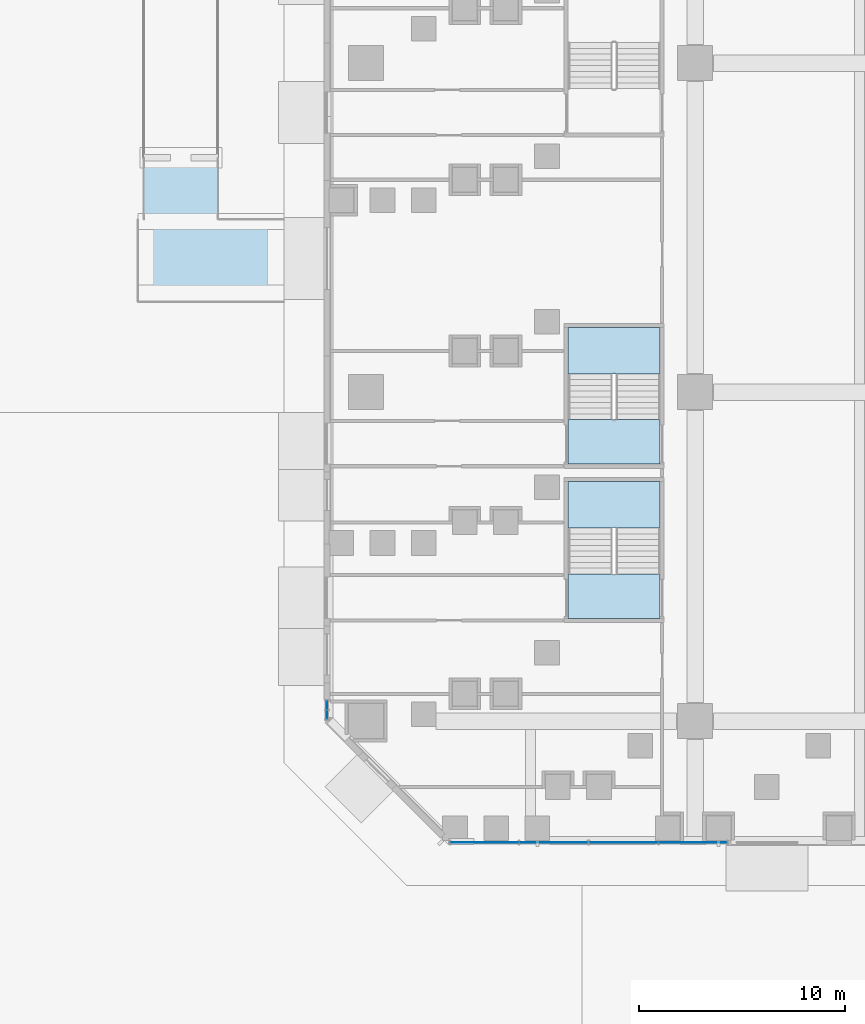
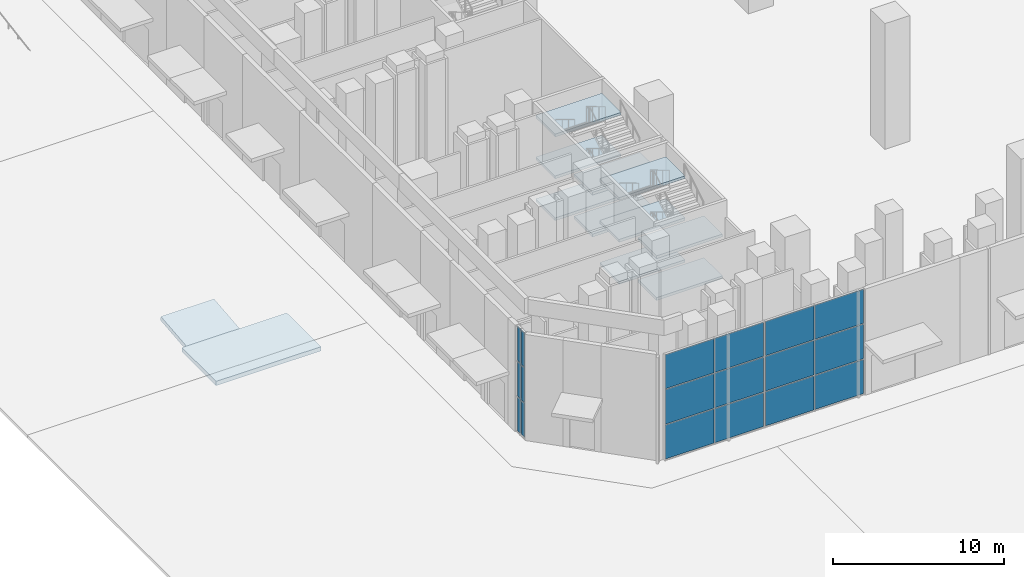
# One storey, part 13 of 51: 18 plates, 12 slabs, 6 elements without a shape of their own.
"""IFC4 building model written with IfcOpenShell, lengths in metres."""

from ifc_helpers import new_model, si_unit, direction, frame, origin, origin_2d, place, context, subcontext, project, spatial, polyline, rectangle, outline, extrude, material, layer, layer_set, type_object, element, aggregate, save


model = new_model("IFC4")

# Units and contexts
model_context = context("Model", 3, precision=1e-05, world=origin(), true_north=direction((0.0, 1.0)))
body_context = subcontext(model_context, "Body", "Model", "MODEL_VIEW")
ifc_project = project(units=[si_unit("LENGTHUNIT", "METRE"), si_unit("AREAUNIT", "SQUARE_METRE"), si_unit("VOLUMEUNIT", "CUBIC_METRE"), si_unit("PLANEANGLEUNIT", "RADIAN"), si_unit("MASSUNIT", "GRAM", prefix="KILO")], contexts=[model_context])

# Site, building, storey
site_placement = place(None, origin())
site = spatial("IfcSite", under=ifc_project, at=site_placement, CompositionType="ELEMENT")
building_placement = place(site_placement, origin())
building = spatial("IfcBuilding", under=site, at=building_placement, Name="Calabash Gate Tower", CompositionType="ELEMENT")
storey_placement = place(building_placement, origin())
storey = spatial("IfcBuildingStorey", under=building, at=storey_placement, Name="L00", CompositionType="ELEMENT", Elevation=0.0)

# Curtain wall, plates
ifc_material_1 = material(Name="Anodised aluminium frame, bronze finish, clear laminated impact-rated glazing", Category="aluminium")
curtain_wall_type = type_object("IfcCurtainWallType", Name="Curtain wall CWF podium shopfront", PredefinedType="NOTDEFINED", material=ifc_material_1)
curtain_wall_1_placement = place(storey_placement, origin())
curtain_wall_1 = element("IfcCurtainWall", 1, at=curtain_wall_1_placement, inside=storey, type_object=curtain_wall_type, Name="Curtain wall CWF L00 0.0.0", PredefinedType="NOTDEFINED")
ifc_material_2 = material(Name="Clear laminated impact-rated glazing", Category="glass")
ifc_layer_1 = layer(ifc_material_2, 0.035888671875)
ifc_layer_set_1 = layer_set([ifc_layer_1], Name="Glass panel CWF 36")
plate_type = type_object("IfcPlateType", Name="Glass panel CWF 36", PredefinedType="CURTAIN_PANEL", material=ifc_layer_set_1)
plate_1_placement = place(storey_placement, frame((-42.239501953125, -45.89990234375, 0.06494140625), z_axis=(0.0, 0.0, 1.0), x_axis=(1.0, 0.0, 0.0)))
plate_1 = element("IfcPlate", 2, at=plate_1_placement, type_object=plate_type, Name="CWF panel 1.1", PredefinedType="CURTAIN_PANEL", context=body_context, shape_type="SweptSolid", body=[
    extrude(rectangle(XDim=3.291015625, YDim=0.035888671875, at=origin_2d()), origin(), (0.0, 0.0, 1.0), 2.435791015625),
])
plate_2_placement = place(storey_placement, frame((-42.239501953125, -45.89990234375, 2.56591796875), z_axis=(0.0, 0.0, 1.0), x_axis=(1.0, 0.0, 0.0)))
plate_2 = element("IfcPlate", 3, at=plate_2_placement, type_object=plate_type, Name="CWF panel 1.2", PredefinedType="CURTAIN_PANEL", context=body_context, shape_type="SweptSolid", body=[
    extrude(rectangle(XDim=3.291015625, YDim=0.035888671875, at=origin_2d()), origin(), (0.0, 0.0, 1.0), 2.46826171875),
])
plate_3_placement = place(storey_placement, frame((-42.239501953125, -45.89990234375, 5.09912109375), z_axis=(0.0, 0.0, 1.0), x_axis=(1.0, 0.0, 0.0)))
plate_3 = element("IfcPlate", 4, at=plate_3_placement, type_object=plate_type, Name="CWF panel 1.3", PredefinedType="CURTAIN_PANEL", context=body_context, shape_type="SweptSolid", body=[
    extrude(rectangle(XDim=3.291015625, YDim=0.035888671875, at=origin_2d()), origin(), (0.0, 0.0, 1.0), 2.435791015625),
])
plate_4_placement = place(storey_placement, frame((-38.883544921875, -45.89990234375, 0.06494140625), z_axis=(0.0, 0.0, 1.0), x_axis=(1.0, 0.0, 0.0)))
plate_4 = element("IfcPlate", 5, at=plate_4_placement, type_object=plate_type, Name="CWF panel 2.1", PredefinedType="CURTAIN_PANEL", context=body_context, shape_type="SweptSolid", body=[
    extrude(rectangle(XDim=3.291015625, YDim=0.035888671875, at=origin_2d()), origin(), (0.0, 0.0, 1.0), 2.435791015625),
])
plate_5_placement = place(storey_placement, frame((-38.883544921875, -45.89990234375, 2.56591796875), z_axis=(0.0, 0.0, 1.0), x_axis=(1.0, 0.0, 0.0)))
plate_5 = element("IfcPlate", 6, at=plate_5_placement, type_object=plate_type, Name="CWF panel 2.2", PredefinedType="CURTAIN_PANEL", context=body_context, shape_type="SweptSolid", body=[
    extrude(rectangle(XDim=3.291015625, YDim=0.035888671875, at=origin_2d()), origin(), (0.0, 0.0, 1.0), 2.46826171875),
])
plate_6_placement = place(storey_placement, frame((-38.883544921875, -45.89990234375, 5.09912109375), z_axis=(0.0, 0.0, 1.0), x_axis=(1.0, 0.0, 0.0)))
plate_6 = element("IfcPlate", 7, at=plate_6_placement, type_object=plate_type, Name="CWF panel 2.3", PredefinedType="CURTAIN_PANEL", context=body_context, shape_type="SweptSolid", body=[
    extrude(rectangle(XDim=3.291015625, YDim=0.035888671875, at=origin_2d()), origin(), (0.0, 0.0, 1.0), 2.435791015625),
])
aggregate(curtain_wall_1, [plate_1, plate_2, plate_3, plate_4, plate_5, plate_6])

curtain_wall_2_placement = place(storey_placement, origin())
curtain_wall_2 = element("IfcCurtainWall", 8, at=curtain_wall_2_placement, inside=storey, type_object=curtain_wall_type, Name="Curtain wall CWF L00 0.0.1", PredefinedType="NOTDEFINED")
plate_7_placement = place(storey_placement, frame((-35.46240234375, -45.89990234375, 0.06494140625), z_axis=(0.0, 0.0, 1.0), x_axis=(1.0, 0.0, 0.0)))
plate_7 = element("IfcPlate", 9, at=plate_7_placement, type_object=plate_type, Name="CWF panel 1.1", PredefinedType="CURTAIN_PANEL", context=body_context, shape_type="SweptSolid", body=[
    extrude(rectangle(XDim=3.291015625, YDim=0.035888671875, at=origin_2d()), origin(), (0.0, 0.0, 1.0), 2.435791015625),
])
plate_8_placement = place(storey_placement, frame((-35.46240234375, -45.89990234375, 2.56591796875), z_axis=(0.0, 0.0, 1.0), x_axis=(1.0, 0.0, 0.0)))
plate_8 = element("IfcPlate", 10, at=plate_8_placement, type_object=plate_type, Name="CWF panel 1.2", PredefinedType="CURTAIN_PANEL", context=body_context, shape_type="SweptSolid", body=[
    extrude(rectangle(XDim=3.291015625, YDim=0.035888671875, at=origin_2d()), origin(), (0.0, 0.0, 1.0), 2.46826171875),
])
plate_9_placement = place(storey_placement, frame((-35.46240234375, -45.89990234375, 5.09912109375), z_axis=(0.0, 0.0, 1.0), x_axis=(1.0, 0.0, 0.0)))
plate_9 = element("IfcPlate", 11, at=plate_9_placement, type_object=plate_type, Name="CWF panel 1.3", PredefinedType="CURTAIN_PANEL", context=body_context, shape_type="SweptSolid", body=[
    extrude(rectangle(XDim=3.291015625, YDim=0.035888671875, at=origin_2d()), origin(), (0.0, 0.0, 1.0), 2.435791015625),
])
plate_10_placement = place(storey_placement, frame((-32.1064453125, -45.89990234375, 0.06494140625), z_axis=(0.0, 0.0, 1.0), x_axis=(1.0, 0.0, 0.0)))
plate_10 = element("IfcPlate", 12, at=plate_10_placement, type_object=plate_type, Name="CWF panel 2.1", PredefinedType="CURTAIN_PANEL", context=body_context, shape_type="SweptSolid", body=[
    extrude(rectangle(XDim=3.291015625, YDim=0.035888671875, at=origin_2d()), origin(), (0.0, 0.0, 1.0), 2.435791015625),
])
plate_11_placement = place(storey_placement, frame((-32.1064453125, -45.89990234375, 2.56591796875), z_axis=(0.0, 0.0, 1.0), x_axis=(1.0, 0.0, 0.0)))
plate_11 = element("IfcPlate", 13, at=plate_11_placement, type_object=plate_type, Name="CWF panel 2.2", PredefinedType="CURTAIN_PANEL", context=body_context, shape_type="SweptSolid", body=[
    extrude(rectangle(XDim=3.291015625, YDim=0.035888671875, at=origin_2d()), origin(), (0.0, 0.0, 1.0), 2.46826171875),
])
plate_12_placement = place(storey_placement, frame((-32.1064453125, -45.89990234375, 5.09912109375), z_axis=(0.0, 0.0, 1.0), x_axis=(1.0, 0.0, 0.0)))
plate_12 = element("IfcPlate", 14, at=plate_12_placement, type_object=plate_type, Name="CWF panel 2.3", PredefinedType="CURTAIN_PANEL", context=body_context, shape_type="SweptSolid", body=[
    extrude(rectangle(XDim=3.291015625, YDim=0.035888671875, at=origin_2d()), origin(), (0.0, 0.0, 1.0), 2.435791015625),
])
aggregate(curtain_wall_2, [plate_7, plate_8, plate_9, plate_10, plate_11, plate_12])

curtain_wall_3_placement = place(storey_placement, origin())
curtain_wall_3 = element("IfcCurtainWall", 15, at=curtain_wall_3_placement, inside=storey, type_object=curtain_wall_type, Name="Curtain wall CWF L00 6.1.0", PredefinedType="NOTDEFINED")
plate_13_placement = place(storey_placement, frame((-49.89990234375, -39.231201171875, 0.06494140625), z_axis=(0.0, 0.0, 1.0), x_axis=(0.0, -1.0, 0.0)))
plate_13 = element("IfcPlate", 16, at=plate_13_placement, type_object=plate_type, Name="CWF panel 1.1", PredefinedType="CURTAIN_PANEL", context=body_context, shape_type="SweptSolid", body=[
    extrude(rectangle(XDim=0.392578125, YDim=0.035888671875, at=origin_2d()), origin(), (0.0, 0.0, 1.0), 2.435791015625),
])
plate_14_placement = place(storey_placement, frame((-49.89990234375, -39.231201171875, 2.56591796875), z_axis=(0.0, 0.0, 1.0), x_axis=(0.0, -1.0, 0.0)))
plate_14 = element("IfcPlate", 17, at=plate_14_placement, type_object=plate_type, Name="CWF panel 1.2", PredefinedType="CURTAIN_PANEL", context=body_context, shape_type="SweptSolid", body=[
    extrude(rectangle(XDim=0.392578125, YDim=0.035888671875, at=origin_2d()), origin(), (0.0, 0.0, 1.0), 2.46826171875),
])
plate_15_placement = place(storey_placement, frame((-49.89990234375, -39.231201171875, 5.09912109375), z_axis=(0.0, 0.0, 1.0), x_axis=(0.0, -1.0, 0.0)))
plate_15 = element("IfcPlate", 18, at=plate_15_placement, type_object=plate_type, Name="CWF panel 1.3", PredefinedType="CURTAIN_PANEL", context=body_context, shape_type="SweptSolid", body=[
    extrude(rectangle(XDim=0.392578125, YDim=0.035888671875, at=origin_2d()), origin(), (0.0, 0.0, 1.0), 2.435791015625),
])
plate_16_placement = place(storey_placement, frame((-49.89990234375, -39.688720703125, 0.06494140625), z_axis=(0.0, 0.0, 1.0), x_axis=(0.0, -1.0, 0.0)))
plate_16 = element("IfcPlate", 19, at=plate_16_placement, type_object=plate_type, Name="CWF panel 2.1", PredefinedType="CURTAIN_PANEL", context=body_context, shape_type="SweptSolid", body=[
    extrude(rectangle(XDim=0.392578125, YDim=0.035888671875, at=origin_2d()), origin(), (0.0, 0.0, 1.0), 2.435791015625),
])
plate_17_placement = place(storey_placement, frame((-49.89990234375, -39.688720703125, 2.56591796875), z_axis=(0.0, 0.0, 1.0), x_axis=(0.0, -1.0, 0.0)))
plate_17 = element("IfcPlate", 20, at=plate_17_placement, type_object=plate_type, Name="CWF panel 2.2", PredefinedType="CURTAIN_PANEL", context=body_context, shape_type="SweptSolid", body=[
    extrude(rectangle(XDim=0.392578125, YDim=0.035888671875, at=origin_2d()), origin(), (0.0, 0.0, 1.0), 2.46826171875),
])
plate_18_placement = place(storey_placement, frame((-49.89990234375, -39.688720703125, 5.09912109375), z_axis=(0.0, 0.0, 1.0), x_axis=(0.0, -1.0, 0.0)))
plate_18 = element("IfcPlate", 21, at=plate_18_placement, type_object=plate_type, Name="CWF panel 2.3", PredefinedType="CURTAIN_PANEL", context=body_context, shape_type="SweptSolid", body=[
    extrude(rectangle(XDim=0.392578125, YDim=0.035888671875, at=origin_2d()), origin(), (0.0, 0.0, 1.0), 2.435791015625),
])
aggregate(curtain_wall_3, [plate_13, plate_14, plate_15, plate_16, plate_17, plate_18])

# Stair, slabs
ifc_material_3 = material(Name="Concrete C40/50", Category="concrete")
stair_type = type_object("IfcStairType", Name="Public stair 54 risers of 166.7 mm", PredefinedType="HALF_TURN_STAIR", material=ifc_material_3)
stair_1_placement = place(storey_placement, origin())
stair_1 = element("IfcStair", 22, at=stair_1_placement, inside=storey, type_object=stair_type, Name="L00 Public Stair PS1", PredefinedType="HALF_TURN_STAIR")
ifc_material_4 = material(Name="Concrete C40/50", Category="concrete")
ifc_layer_2 = layer(ifc_material_4, 0.199951171875)
ifc_layer_set_2 = layer_set([ifc_layer_2], Name="Stair landing SL200")
slab_type_1 = type_object("IfcSlabType", Name="Stair landing SL200", PredefinedType="LANDING", material=ifc_layer_set_2)
slab_1_placement = place(storey_placement, frame((0.0, 0.0, 1.300048828125)))
slab_1 = element("IfcSlab", 23, at=slab_1_placement, type_object=slab_type_1, Name="PS1 landing 1", PredefinedType="LANDING", context=body_context, shape_type="SweptSolid", body=[
    extrude(outline(polyline([(-33.699951171875, -30.60791015625), (-33.699951171875, -28.35009765625), (-38.169921875, -28.35009765625), (-38.169921875, -30.60791015625), (-33.699951171875, -30.60791015625)])), origin(), (0.0, 0.0, 1.0), 0.199951171875),
])
slab_2_placement = place(storey_placement, frame((0.0, 0.0, 2.800048828125)))
slab_2 = element("IfcSlab", 24, at=slab_2_placement, type_object=slab_type_1, Name="PS1 landing 2", PredefinedType="LANDING", context=body_context, shape_type="SweptSolid", body=[
    extrude(outline(polyline([(-33.699951171875, -35.0), (-33.699951171875, -32.840087890625), (-38.169921875, -32.840087890625), (-38.169921875, -35.0), (-33.699951171875, -35.0)])), origin(), (0.0, 0.0, 1.0), 0.199951171875),
])
slab_3_placement = place(storey_placement, frame((0.0, 0.0, 4.300048828125)))
slab_3 = element("IfcSlab", 25, at=slab_3_placement, type_object=slab_type_1, Name="PS1 landing 3", PredefinedType="LANDING", context=body_context, shape_type="SweptSolid", body=[
    extrude(outline(polyline([(-33.699951171875, -30.60791015625), (-33.699951171875, -28.35009765625), (-38.169921875, -28.35009765625), (-38.169921875, -30.60791015625), (-33.699951171875, -30.60791015625)])), origin(), (0.0, 0.0, 1.0), 0.199951171875),
])
slab_4_placement = place(storey_placement, frame((0.0, 0.0, 5.800048828125)))
slab_4 = element("IfcSlab", 26, at=slab_4_placement, type_object=slab_type_1, Name="PS1 landing 4", PredefinedType="LANDING", context=body_context, shape_type="SweptSolid", body=[
    extrude(outline(polyline([(-33.699951171875, -35.0), (-33.699951171875, -32.840087890625), (-38.169921875, -32.840087890625), (-38.169921875, -35.0), (-33.699951171875, -35.0)])), origin(), (0.0, 0.0, 1.0), 0.199951171875),
])
slab_5_placement = place(storey_placement, frame((0.0, 0.0, 7.300048828125)))
slab_5 = element("IfcSlab", 27, at=slab_5_placement, type_object=slab_type_1, Name="PS1 landing 5", PredefinedType="LANDING", context=body_context, shape_type="SweptSolid", body=[
    extrude(outline(polyline([(-33.699951171875, -30.60791015625), (-33.699951171875, -28.35009765625), (-38.169921875, -28.35009765625), (-38.169921875, -30.60791015625), (-33.699951171875, -30.60791015625)])), origin(), (0.0, 0.0, 1.0), 0.199951171875),
])
aggregate(stair_1, [slab_1, slab_2, slab_3, slab_4, slab_5])

stair_2_placement = place(storey_placement, origin())
stair_2 = element("IfcStair", 28, at=stair_2_placement, inside=storey, type_object=stair_type, Name="L00 Public Stair PS2", PredefinedType="HALF_TURN_STAIR")
slab_6_placement = place(storey_placement, frame((0.0, 0.0, 1.300048828125)))
slab_6 = element("IfcSlab", 29, at=slab_6_placement, type_object=slab_type_1, Name="PS2 landing 1", PredefinedType="LANDING", context=body_context, shape_type="SweptSolid", body=[
    extrude(outline(polyline([(-33.699951171875, -23.10791015625), (-33.699951171875, -20.85009765625), (-38.169921875, -20.85009765625), (-38.169921875, -23.10791015625), (-33.699951171875, -23.10791015625)])), origin(), (0.0, 0.0, 1.0), 0.199951171875),
])
slab_7_placement = place(storey_placement, frame((0.0, 0.0, 2.800048828125)))
slab_7 = element("IfcSlab", 30, at=slab_7_placement, type_object=slab_type_1, Name="PS2 landing 2", PredefinedType="LANDING", context=body_context, shape_type="SweptSolid", body=[
    extrude(outline(polyline([(-33.699951171875, -27.5), (-33.699951171875, -25.340087890625), (-38.169921875, -25.340087890625), (-38.169921875, -27.5), (-33.699951171875, -27.5)])), origin(), (0.0, 0.0, 1.0), 0.199951171875),
])
slab_8_placement = place(storey_placement, frame((0.0, 0.0, 4.300048828125)))
slab_8 = element("IfcSlab", 31, at=slab_8_placement, type_object=slab_type_1, Name="PS2 landing 3", PredefinedType="LANDING", context=body_context, shape_type="SweptSolid", body=[
    extrude(outline(polyline([(-33.699951171875, -23.10791015625), (-33.699951171875, -20.85009765625), (-38.169921875, -20.85009765625), (-38.169921875, -23.10791015625), (-33.699951171875, -23.10791015625)])), origin(), (0.0, 0.0, 1.0), 0.199951171875),
])
slab_9_placement = place(storey_placement, frame((0.0, 0.0, 5.800048828125)))
slab_9 = element("IfcSlab", 32, at=slab_9_placement, type_object=slab_type_1, Name="PS2 landing 4", PredefinedType="LANDING", context=body_context, shape_type="SweptSolid", body=[
    extrude(outline(polyline([(-33.699951171875, -27.5), (-33.699951171875, -25.340087890625), (-38.169921875, -25.340087890625), (-38.169921875, -27.5), (-33.699951171875, -27.5)])), origin(), (0.0, 0.0, 1.0), 0.199951171875),
])
slab_10_placement = place(storey_placement, frame((0.0, 0.0, 7.300048828125)))
slab_10 = element("IfcSlab", 33, at=slab_10_placement, type_object=slab_type_1, Name="PS2 landing 5", PredefinedType="LANDING", context=body_context, shape_type="SweptSolid", body=[
    extrude(outline(polyline([(-33.699951171875, -23.10791015625), (-33.699951171875, -20.85009765625), (-38.169921875, -20.85009765625), (-38.169921875, -23.10791015625), (-33.699951171875, -23.10791015625)])), origin(), (0.0, 0.0, 1.0), 0.199951171875),
])
aggregate(stair_2, [slab_6, slab_7, slab_8, slab_9, slab_10])

# Assembly, slabs
assembly_placement = place(storey_placement, origin())
assembly = element("IfcElementAssembly", 34, at=assembly_placement, inside=storey, Name="Exit Ramp", ObjectType="Vehicle ramp", PredefinedType="USERDEFINED")
ifc_material_5 = material(Name="Concrete C40/50", Category="concrete")
ifc_layer_3 = layer(ifc_material_5, 0.300048828125)
ifc_layer_set_3 = layer_set([ifc_layer_3], Name="Vehicle ramp landing 300 Concrete C40/50")
slab_type_2 = type_object("IfcSlabType", Name="Vehicle ramp landing 300 Concrete C40/50", PredefinedType="LANDING", material=ifc_layer_set_3)
slab_11_placement = place(storey_placement, frame((0.0, 0.0, -5.300048828125)))
slab_11 = element("IfcSlab", 35, at=slab_11_placement, type_object=slab_type_2, Name="Exit Ramp landing", PredefinedType="LANDING", context=body_context, shape_type="SweptSolid", body=[
    extrude(outline(polyline([(-59.10009765625, -19.60009765625), (-52.0, -19.60009765625), (-52.0, -15.60009765625), (-59.10009765625, -15.60009765625), (-59.10009765625, -19.60009765625)])), origin(), (0.0, 0.0, 1.0), 0.300048828125),
])
ifc_material_6 = material(Name="Concrete C40/50", Category="concrete")
ifc_layer_4 = layer(ifc_material_6, 0.300048828125)
ifc_layer_set_4 = layer_set([ifc_layer_4], Name="Vehicle ramp slab 300 Concrete C40/50")
slab_type_3 = type_object("IfcSlabType", Name="Vehicle ramp slab 300 Concrete C40/50", PredefinedType="FLOOR", material=ifc_layer_set_4)
slab_12_placement = place(storey_placement, frame((-58.800048828125, -15.60009765625, -5.0), z_axis=(0.0, -0.0995197539, 0.995035586592), x_axis=(1.0, 0.0, 0.0)))
slab_12 = element("IfcSlab", 36, at=slab_12_placement, type_object=slab_type_3, Name="Exit Ramp slab 1", PredefinedType="FLOOR", context=body_context, shape_type="SweptSolid", body=[
    extrude(outline(polyline([(0.0, 0.0), (3.60009765625, 0.0), (3.60009765625, 3.014892578125), (0.0, 3.014892578125), (0.0, 0.0)])), origin(), (0.0, 0.0, -1.0), 0.300048828125),
])
aggregate(assembly, [slab_11, slab_12])

save(model, "model.ifc")
